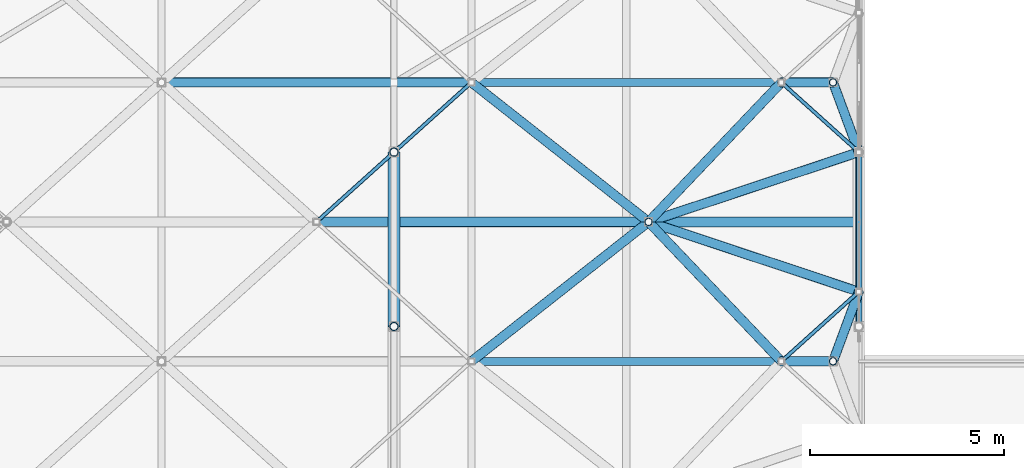
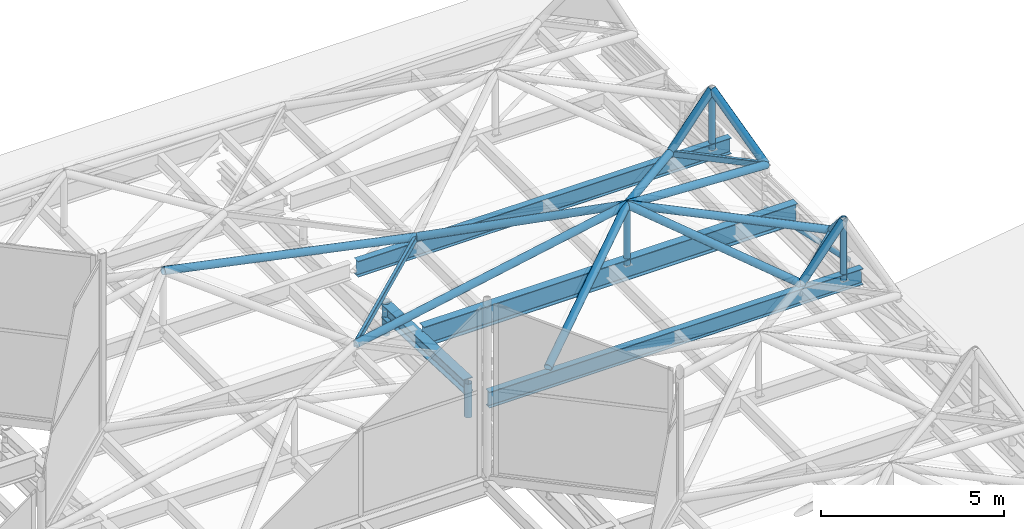
# One storey, part 139 of 239: 18 members, 7 beams.
"""IFC4 building model written with IfcOpenShell, lengths in metres."""

from ifc_helpers import new_model, si_unit, direction, frame, origin, origin_2d, place, context, subcontext, project, spatial, hollow_rectangle, hollow_circle, i_section, extrude, material, material_profile, profile_set, type_object, element, save


model = new_model("IFC4")

# Units and contexts
model_context = context("Model", 3, precision=1e-05, world=origin(), true_north=direction((0.0, 1.0)))
body_context = subcontext(model_context, "Body", "Model", "MODEL_VIEW")
ifc_project = project(units=[si_unit("LENGTHUNIT", "METRE"), si_unit("AREAUNIT", "SQUARE_METRE"), si_unit("VOLUMEUNIT", "CUBIC_METRE"), si_unit("PLANEANGLEUNIT", "RADIAN"), si_unit("MASSUNIT", "GRAM", prefix="KILO")], contexts=[model_context])

# Site, building, storey
site_placement = place(None, origin())
site = spatial("IfcSite", under=ifc_project, at=site_placement, CompositionType="ELEMENT")
building_placement = place(site_placement, origin())
building = spatial("IfcBuilding", under=site, at=building_placement, Name="Dunvalen Ferry Terminal", CompositionType="ELEMENT")
storey_placement = place(building_placement, frame((0.0, 0.0, 9.840087890625)))
storey = spatial("IfcBuildingStorey", under=building, at=storey_placement, Name="L02", CompositionType="ELEMENT", Elevation=9.840087890625)

# Beams
ifc_material = material(Name="Steel S355", Category="steel")
ifc_material_profile_1 = material_profile(ifc_material, i_section(OverallWidth=0.300048828125, OverallDepth=0.449951171875, WebThickness=0.013916015625, FlangeThickness=0.02587890625, FilletRadius=0.027099609375, at=origin_2d()), Name="Steel S355")
ifc_profile_set_1 = profile_set([ifc_material_profile_1], Name="Steel S355")
beam_type_1 = type_object("IfcBeamType", Name="STR-BM-HEB450", PredefinedType="BEAM", material=ifc_profile_set_1)
beam_1_placement = place(storey_placement, frame((84.0, 72.89990234375, 0.65869140625), z_axis=(0.0, 0.999166564808, -0.040818816368), x_axis=(-1.0, 0.0, 0.0)))
element("IfcBeam", 1, at=beam_1_placement, inside=storey, type_object=beam_type_1, Name="Departure Hall Tied-Arch Rib 07.6", PredefinedType="BEAM", context=body_context, shape_type="SweptSolid", body=[
    extrude(i_section(OverallWidth=0.300048828125, OverallDepth=0.449951171875, WebThickness=0.013916015625, FlangeThickness=0.02587890625, FilletRadius=0.027099609375, at=origin_2d()), origin(), (0.0, 0.0, 1.0), 4.503662109375),
])
ifc_material_profile_2 = material_profile(ifc_material, hollow_rectangle(XDim=0.10009765625, YDim=0.199951171875, WallThickness=0.008056640625, InnerFilletRadius=0.008056640625, OuterFilletRadius=0.01611328125, at=origin_2d()), Name="Steel S355")
ifc_profile_set_2 = profile_set([ifc_material_profile_2], Name="Steel S355")
beam_type_2 = type_object("IfcBeamType", Name="STR-BM-RHS200", PredefinedType="BEAM", material=ifc_profile_set_2)
beam_2_placement = place(storey_placement, frame((82.0, 75.60009765625, 1.099853515625), z_axis=(0.74330768127, 0.668949692402, 0.0), x_axis=(-0.668949692402, 0.74330768127, 0.0)))
element("IfcBeam", 2, at=beam_2_placement, inside=storey, type_object=beam_type_2, Name="HEX-38 Hexagonal Rim Beam 3", PredefinedType="BEAM", context=body_context, shape_type="SweptSolid", body=[
    extrude(hollow_rectangle(XDim=0.10009765625, YDim=0.199951171875, WallThickness=0.008056640625, InnerFilletRadius=0.008056640625, OuterFilletRadius=0.01611328125, at=origin_2d()), origin(), (0.0, 0.0, 1.0), 5.38134765625),
])
for number, where, z_axis, x_axis, name in (
    (3, (94.0, 72.0, 1.099853515625), (0.743285123004, 0.668974757313, 0.0), (-0.668974757313, 0.743285123004, 0.0), "HEX-43 Hexagonal Rim Beam 3"),
    (4, (96.0, 77.39990234375, 1.099853515625), (-0.743285123004, 0.668974757313, 0.0), (-0.668974757313, -0.743285123004, 0.0), "HEX-43 Hexagonal Rim Beam 5"),
):
    element("IfcBeam", number, at=place(storey_placement, frame(where, z_axis=z_axis, x_axis=x_axis)), inside=storey, type_object=beam_type_2, Name=name, PredefinedType="BEAM", context=body_context, shape_type="SweptSolid", body=[
        extrude(hollow_rectangle(XDim=0.10009765625, YDim=0.199951171875, WallThickness=0.008056640625, InnerFilletRadius=0.008056640625, OuterFilletRadius=0.01611328125, at=origin_2d()), origin(), (0.0, 0.0, 1.0), 2.690673828125),
    ])
ifc_material_profile_3 = material_profile(ifc_material, i_section(OverallWidth=0.209228515625, OverallDepth=0.533203125, WebThickness=0.010009765625, FlangeThickness=0.015625, FilletRadius=0.0126953125, at=origin_2d()), Name="Steel S355")
ifc_profile_set_3 = profile_set([ifc_material_profile_3], Name="Steel S355")
beam_type_3 = type_object("IfcBeamType", Name="STR-BM-UKB533", PredefinedType="BEAM", material=ifc_profile_set_3)
for number, where, z_axis, x_axis, name in (
    (5, (84.10009765625, 72.0, 0.7333984375), (1.0, 0.0, 0.0), (0.0, 1.0, 0.0), "Departure Hall Spine Girder B7.07"),
    (6, (84.10009765625, 79.199951171875, 0.7333984375), (1.0, 0.0, 0.0), (0.0, 1.0, 0.0), "Departure Hall Spine Girder B7.09"),
):
    element("IfcBeam", number, at=place(storey_placement, frame(where, z_axis=z_axis, x_axis=x_axis)), inside=storey, type_object=beam_type_3, Name=name, PredefinedType="BEAM", context=body_context, shape_type="SweptSolid", body=[
        extrude(i_section(OverallWidth=0.209228515625, OverallDepth=0.533203125, WebThickness=0.010009765625, FlangeThickness=0.015625, FilletRadius=0.0126953125, at=origin_2d()), origin(), (0.0, 0.0, 1.0), 11.7998046875),
    ])
ifc_material_profile_4 = material_profile(ifc_material, i_section(OverallWidth=0.253662109375, OverallDepth=0.68359375, WebThickness=0.012451171875, FlangeThickness=0.01904296875, FilletRadius=0.01513671875, at=origin_2d()), Name="Steel S355")
ifc_profile_set_4 = profile_set([ifc_material_profile_4], Name="Steel S355")
beam_type_4 = type_object("IfcBeamType", Name="STR-BM-UKB686", PredefinedType="BEAM", material=ifc_profile_set_4)
beam_3_placement = place(storey_placement, frame((84.10009765625, 75.60009765625, 0.658203125), z_axis=(1.0, 0.0, 0.0), x_axis=(0.0, 1.0, 0.0)))
element("IfcBeam", 7, at=beam_3_placement, inside=storey, type_object=beam_type_4, Name="Departure Hall Spine Girder B7.08", PredefinedType="BEAM", context=body_context, shape_type="SweptSolid", body=[
    extrude(i_section(OverallWidth=0.253662109375, OverallDepth=0.68359375, WebThickness=0.012451171875, FlangeThickness=0.01904296875, FilletRadius=0.01513671875, at=origin_2d()), origin(), (0.0, 0.0, 1.0), 11.7998046875),
])

# Members
ifc_material_profile_5 = material_profile(ifc_material, hollow_circle(Radius=0.084228515625, WallThickness=0.008056640625, at=origin_2d()), Name="Steel S355")
ifc_profile_set_5 = profile_set([ifc_material_profile_5], Name="Steel S355")
member_type_1 = type_object("IfcMemberType", Name="STR-MB-CHS168", PredefinedType="BRACE", material=ifc_profile_set_5)
member_1_placement = place(storey_placement, frame((96.0, 72.89990234375, 0.65869140625), z_axis=(0.0, 0.975316524259, -0.220811407104), x_axis=(-1.0, 0.0, 0.0)))
element("IfcMember", 8, at=member_1_placement, inside=storey, type_object=member_type_1, Name="Departure Hall Arch Web Diagonal 08.6", PredefinedType="BRACE", context=body_context, shape_type="SweptSolid", body=[
    extrude(hollow_circle(Radius=0.084228515625, WallThickness=0.008056640625, at=origin_2d()), origin(), (0.0, 0.0, 1.0), 4.61376953125),
])
ifc_material_profile_6 = material_profile(ifc_material, hollow_circle(Radius=0.096923828125, WallThickness=0.008056640625, at=origin_2d()), Name="Steel S355")
ifc_profile_set_6 = profile_set([ifc_material_profile_6], Name="Steel S355")
member_type_2 = type_object("IfcMemberType", Name="STR-MB-CHS193", PredefinedType="STRUT", material=ifc_profile_set_6)
for number, where, z_axis, x_axis, name in (
    (9, (90.5712890625, 75.60009765625, 0.77001953125), (0.0, 0.0, 1.0), (1.0, 0.0, 0.0), "HEX-43 Pyramid Apex Strut"),
    (10, (95.333251953125, 72.0, 0.77001953125), (0.0, 0.0, 1.0), (1.0, 0.0, 0.0), "HEX-48 Pyramid Apex Strut"),
    (11, (95.333251953125, 79.199951171875, 0.77001953125), (0.0, 0.0, 1.0), (1.0, 0.0, 0.0), "HEX-49 Pyramid Apex Strut"),
):
    element("IfcMember", number, at=place(storey_placement, frame(where, z_axis=z_axis, x_axis=x_axis)), inside=storey, type_object=member_type_2, Name=name, PredefinedType="STRUT", context=body_context, shape_type="SweptSolid", body=[
        extrude(hollow_circle(Radius=0.096923828125, WallThickness=0.008056640625, at=origin_2d()), origin(), (0.0, 0.0, 1.0), 1.994873046875),
    ])
ifc_material_profile_7 = material_profile(ifc_material, hollow_circle(Radius=0.109619140625, WallThickness=0.010009765625, at=origin_2d()), Name="Steel S355")
ifc_profile_set_7 = profile_set([ifc_material_profile_7], Name="Steel S355")
member_type_3 = type_object("IfcMemberType", Name="STR-MB-CHS219", PredefinedType="STRUT", material=ifc_profile_set_7)
for number, where, z_axis, x_axis, name in (
    (12, (84.0, 72.89990234375, -0.360107421875), (0.0, 0.0, 1.0), (1.0, 0.0, 0.0), "Departure Hall Arch Spandrel Strut 07.5"),
    (13, (84.0, 77.39990234375, -0.360107421875), (0.0, 0.0, 1.0), (1.0, 0.0, 0.0), "Departure Hall Arch Spandrel Strut 07.6"),
):
    element("IfcMember", number, at=place(storey_placement, frame(where, z_axis=z_axis, x_axis=x_axis)), inside=storey, type_object=member_type_3, Name=name, PredefinedType="STRUT", context=body_context, shape_type="SweptSolid", body=[
        extrude(hollow_circle(Radius=0.109619140625, WallThickness=0.010009765625, at=origin_2d()), origin(), (0.0, 0.0, 1.0), 1.130126953125),
    ])
ifc_material_profile_8 = material_profile(ifc_material, hollow_circle(Radius=0.122314453125, WallThickness=0.010009765625, at=origin_2d()), Name="Steel S355")
ifc_profile_set_8 = profile_set([ifc_material_profile_8], Name="Steel S355")
member_type_4 = type_object("IfcMemberType", Name="STR-MB-CHS244", PredefinedType="STRUT", material=ifc_profile_set_8)
member_2_placement = place(storey_placement, frame((86.0, 79.199951171875, 1.099853515625), z_axis=(-0.979020171275, 0.0, 0.203763353518), x_axis=(0.0, -1.0, 0.0)))
element("IfcMember", 14, at=member_2_placement, inside=storey, type_object=member_type_4, Name="HEX-38 Pyramid Hip Rafter 4", PredefinedType="STRUT", context=body_context, shape_type="SweptSolid", body=[
    extrude(hollow_circle(Radius=0.122314453125, WallThickness=0.010009765625, at=origin_2d()), origin(), (0.0, 0.0, 1.0), 8.17138671875),
])
member_3_placement = place(storey_placement, frame((82.0, 75.60009765625, 1.099853515625), z_axis=(0.981649716778, 0.0, 0.190693034876), x_axis=(0.0, 1.0, 0.0)))
element("IfcMember", 15, at=member_3_placement, inside=storey, type_object=member_type_4, Name="HEX-43 Pyramid Hip Rafter 1", PredefinedType="STRUT", context=body_context, shape_type="SweptSolid", body=[
    extrude(hollow_circle(Radius=0.122314453125, WallThickness=0.010009765625, at=origin_2d()), origin(), (0.0, 0.0, 1.0), 8.7314453125),
])
member_4_placement = place(storey_placement, frame((86.0, 72.0, 1.099853515625), z_axis=(0.755303948682, 0.594836147579, 0.275110709785), x_axis=(-0.61871061037, 0.785618979287, 0.0)))
element("IfcMember", 16, at=member_4_placement, inside=storey, type_object=member_type_4, Name="HEX-43 Pyramid Hip Rafter 2", PredefinedType="STRUT", context=body_context, shape_type="SweptSolid", body=[
    extrude(hollow_circle(Radius=0.122314453125, WallThickness=0.010009765625, at=origin_2d()), origin(), (0.0, 0.0, 1.0), 6.05224609375),
])
member_5_placement = place(storey_placement, frame((94.0, 72.0, 1.099853515625), z_axis=(-0.653958936196, 0.686647570005, 0.317573337002), x_axis=(-0.724133259713, -0.689660077269, 0.0)))
element("IfcMember", 17, at=member_5_placement, inside=storey, type_object=member_type_4, Name="HEX-43 Pyramid Hip Rafter 3", PredefinedType="STRUT", context=body_context, shape_type="SweptSolid", body=[
    extrude(hollow_circle(Radius=0.122314453125, WallThickness=0.010009765625, at=origin_2d()), origin(), (0.0, 0.0, 1.0), 5.242919921875),
])
for number, where, z_axis, x_axis, name in (
    (18, (96.0, 73.800048828125, 1.099853515625), (-0.911347276527, 0.302184002061, 0.279519177276), (-0.314729068317, -0.949181549313, 0.0), "HEX-43 Pyramid Hip Rafter 4"),
    (19, (96.0, 77.39990234375, 1.099853515625), (-0.911358563077, -0.302146758725, 0.279522638972), (0.314690609143, -0.949194300719, 0.0), "HEX-43 Pyramid Hip Rafter 5"),
):
    element("IfcMember", number, at=place(storey_placement, frame(where, z_axis=z_axis, x_axis=x_axis)), inside=storey, type_object=member_type_4, Name=name, PredefinedType="STRUT", context=body_context, shape_type="SweptSolid", body=[
        extrude(hollow_circle(Radius=0.122314453125, WallThickness=0.010009765625, at=origin_2d()), origin(), (0.0, 0.0, 1.0), 5.956787109375),
    ])
member_6_placement = place(storey_placement, frame((94.0, 79.199951171875, 1.099853515625), z_axis=(-0.653979846008, -0.686622958516, 0.317583491155), x_axis=(0.724109901608, -0.689684602114, 0.0)))
element("IfcMember", 20, at=member_6_placement, inside=storey, type_object=member_type_4, Name="HEX-43 Pyramid Hip Rafter 6", PredefinedType="STRUT", context=body_context, shape_type="SweptSolid", body=[
    extrude(hollow_circle(Radius=0.122314453125, WallThickness=0.010009765625, at=origin_2d()), origin(), (0.0, 0.0, 1.0), 5.242919921875),
])
member_7_placement = place(storey_placement, frame((86.0, 79.199951171875, 1.099853515625), z_axis=(0.755322072227, -0.594810080911, 0.275117311076), x_axis=(0.618684713088, 0.78563937388, 0.0)))
element("IfcMember", 21, at=member_7_placement, inside=storey, type_object=member_type_4, Name="HEX-43 Pyramid Hip Rafter 7", PredefinedType="STRUT", context=body_context, shape_type="SweptSolid", body=[
    extrude(hollow_circle(Radius=0.122314453125, WallThickness=0.010009765625, at=origin_2d()), origin(), (0.0, 0.0, 1.0), 6.052001953125),
])
member_8_placement = place(storey_placement, frame((96.0, 73.800048828125, 1.099853515625), z_axis=(-0.262387740737, -0.708379645717, 0.65524877035), x_axis=(0.937738020856, -0.34734335209, 0.0)))
element("IfcMember", 22, at=member_8_placement, inside=storey, type_object=member_type_4, Name="HEX-48 Pyramid Hip Rafter 1", PredefinedType="STRUT", context=body_context, shape_type="SweptSolid", body=[
    extrude(hollow_circle(Radius=0.122314453125, WallThickness=0.010009765625, at=origin_2d()), origin(), (0.0, 0.0, 1.0), 2.541015625),
])
for number, where, z_axis, x_axis, name in (
    (23, (94.0, 72.0, 1.099853515625), (0.625043936243, 0.0, 0.780589570624), (0.0, 1.0, 0.0), "HEX-48 Pyramid Hip Rafter 2"),
    (24, (94.0, 79.199951171875, 1.099853515625), (0.625043936243, 0.0, 0.780589570624), (0.0, 1.0, 0.0), "HEX-49 Pyramid Hip Rafter 2"),
):
    element("IfcMember", number, at=place(storey_placement, frame(where, z_axis=z_axis, x_axis=x_axis)), inside=storey, type_object=member_type_4, Name=name, PredefinedType="STRUT", context=body_context, shape_type="SweptSolid", body=[
        extrude(hollow_circle(Radius=0.122314453125, WallThickness=0.010009765625, at=origin_2d()), origin(), (0.0, 0.0, 1.0), 2.133056640625),
    ])
member_9_placement = place(storey_placement, frame((96.0, 77.39990234375, 1.099853515625), z_axis=(-0.262387740737, 0.708379645717, 0.65524877035), x_axis=(-0.937738020856, -0.34734335209, 0.0)))
element("IfcMember", 25, at=member_9_placement, inside=storey, type_object=member_type_4, Name="HEX-49 Pyramid Hip Rafter 3", PredefinedType="STRUT", context=body_context, shape_type="SweptSolid", body=[
    extrude(hollow_circle(Radius=0.122314453125, WallThickness=0.010009765625, at=origin_2d()), origin(), (0.0, 0.0, 1.0), 2.541015625),
])

save(model, "model.ifc")
